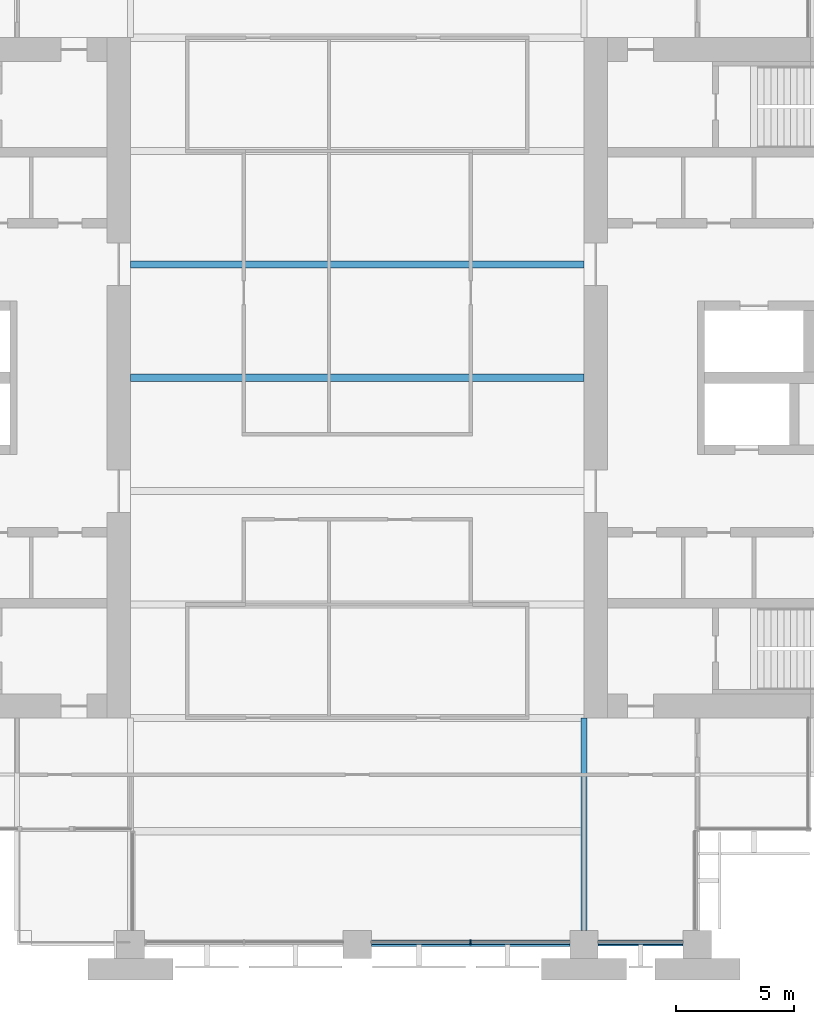
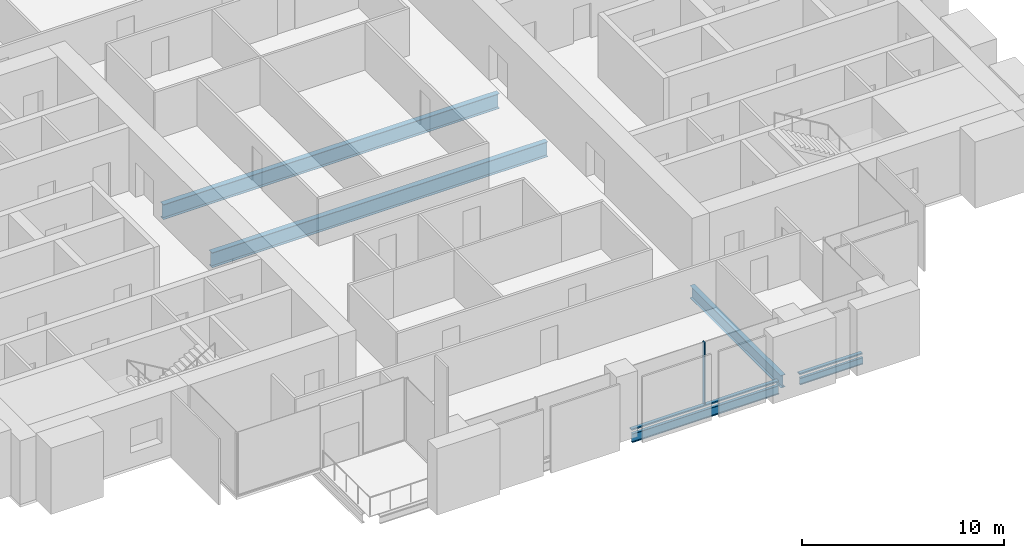
# One storey, part 3 of 14: 5 beams, 3 members, 1 element without a shape of its own.
"""IFC4 building model written with IfcOpenShell, lengths in metres."""

from ifc_helpers import new_model, si_unit, direction, frame, origin, origin_2d, place, context, subcontext, project, spatial, rectangle, i_section, extrude, material, material_profile, profile_set, type_object, element, aggregate, save


model = new_model("IFC4")

# Units and contexts
model_context = context("Model", 3, precision=1e-05, world=origin(), true_north=direction((0.0, 1.0)))
body_context = subcontext(model_context, "Body", "Model", "MODEL_VIEW")
ifc_project = project(units=[si_unit("LENGTHUNIT", "METRE"), si_unit("AREAUNIT", "SQUARE_METRE"), si_unit("VOLUMEUNIT", "CUBIC_METRE"), si_unit("PLANEANGLEUNIT", "RADIAN"), si_unit("MASSUNIT", "GRAM", prefix="KILO")], contexts=[model_context])

# Site, building, storey
site_placement = place(None, origin())
site = spatial("IfcSite", under=ifc_project, at=site_placement, CompositionType="ELEMENT")
building_placement = place(site_placement, origin())
building = spatial("IfcBuilding", under=site, at=building_placement, Name="Baori Bourse Tower", CompositionType="ELEMENT")
storey_placement = place(building_placement, frame((0.0, 0.0, 148.10009765625)))
storey = spatial("IfcBuildingStorey", under=building, at=storey_placement, Name="L32", CompositionType="ELEMENT", Elevation=148.10009765625)

# Curtain wall, members
ifc_material_1 = material(Name="Pale anodised aluminium", Category="aluminium")
curtain_wall_type = type_object("IfcCurtainWallType", Name="CW1 Curtain wall", PredefinedType="NOTDEFINED", material=ifc_material_1)
curtain_wall_placement = place(storey_placement, origin())
curtain_wall = element("IfcCurtainWall", 1, at=curtain_wall_placement, inside=storey, type_object=curtain_wall_type, Name="Curtain wall CW1 L32 12", PredefinedType="NOTDEFINED")
ifc_material_2 = material(Name="Pale anodised aluminium", Category="aluminium")
ifc_material_profile_1 = material_profile(ifc_material_2, rectangle(XDim=0.199951171875, YDim=0.06005859375, at=origin_2d()), Name="Mullion 60x200")
ifc_profile_set_1 = profile_set([ifc_material_profile_1], Name="Pale anodised aluminium")
member_type_1 = type_object("IfcMemberType", Name="CW1 Curtain wall mullion", PredefinedType="MULLION", material=ifc_profile_set_1)
member_1_placement = place(storey_placement, frame((33.60009765625, 0.10009765625, 0.079833984375), z_axis=(0.0, 0.0, 1.0), x_axis=(0.0, 1.0, 0.0)))
member_1 = element("IfcMember", 2, at=member_1_placement, type_object=member_type_1, Name="Curtain wall CW1 mullion", PredefinedType="MULLION", context=body_context, shape_type="SweptSolid", body=[
    extrude(rectangle(XDim=0.199951171875, YDim=0.06005859375, at=origin_2d()), origin(), (0.0, 0.0, 1.0), 3.760009765625),
])
ifc_material_3 = material(Name="Pale anodised aluminium", Category="aluminium")
ifc_material_profile_2 = material_profile(ifc_material_3, rectangle(XDim=0.199951171875, YDim=0.080078125, at=origin_2d()), Name="Transom 80x200")
ifc_profile_set_2 = profile_set([ifc_material_profile_2], Name="Pale anodised aluminium")
member_type_2 = type_object("IfcMemberType", Name="CW1 Curtain wall transom", PredefinedType="USERDEFINED", material=ifc_profile_set_2)
member_2_placement = place(storey_placement, frame((29.39990234375, 0.10009765625, 0.039794921875), z_axis=(1.0, 0.0, 0.0), x_axis=(0.0, 1.0, 0.0)))
member_2 = element("IfcMember", 3, at=member_2_placement, type_object=member_type_2, Name="Curtain wall CW1 sill rail", ObjectType="TRANSOM", PredefinedType="USERDEFINED", context=body_context, shape_type="SweptSolid", body=[
    extrude(rectangle(XDim=0.199951171875, YDim=0.080078125, at=origin_2d()), origin(), (0.0, 0.0, 1.0), 8.400146484375),
])
member_3_placement = place(storey_placement, frame((39.0, 0.10009765625, 0.039794921875), z_axis=(1.0, 0.0, 0.0), x_axis=(0.0, 1.0, 0.0)))
member_3 = element("IfcMember", 4, at=member_3_placement, type_object=member_type_2, Name="Curtain wall CW1 sill rail", ObjectType="TRANSOM", PredefinedType="USERDEFINED", context=body_context, shape_type="SweptSolid", body=[
    extrude(rectangle(XDim=0.199951171875, YDim=0.080078125, at=origin_2d()), origin(), (0.0, 0.0, 1.0), 3.60009765625),
])
aggregate(curtain_wall, [member_2, member_1, member_3])

# Beams
ifc_material_4 = material(Name="Steel A992 Gr 50", Category="steel")
ifc_material_profile_3 = material_profile(ifc_material_4, i_section(OverallWidth=0.140380859375, OverallDepth=0.40380859375, WebThickness=0.007080078125, FlangeThickness=0.01123046875, at=origin_2d()), Name="W16x31")
ifc_profile_set_3 = profile_set([ifc_material_profile_3], Name="Steel A992 Gr 50")
beam_type_1 = type_object("IfcBeamType", Name="Edge beam W16x31", PredefinedType="BEAM", material=ifc_profile_set_3)
beam_1_placement = place(storey_placement, frame((39.0, 0.0, -0.362060546875), z_axis=(1.0, 0.0, 0.0), x_axis=(0.0, 1.0, 0.0)))
element("IfcBeam", 5, at=beam_1_placement, inside=storey, type_object=beam_type_1, Name="Edge beam L32", PredefinedType="BEAM", context=body_context, shape_type="SweptSolid", body=[
    extrude(i_section(OverallWidth=0.140380859375, OverallDepth=0.40380859375, WebThickness=0.007080078125, FlangeThickness=0.01123046875, at=origin_2d()), origin(), (0.0, 0.0, 1.0), 3.60009765625),
])
ifc_material_5 = material(Name="Steel A992 Gr 50", Category="steel")
ifc_material_profile_4 = material_profile(ifc_material_5, i_section(OverallWidth=0.1650390625, OverallDepth=0.52587890625, WebThickness=0.0087890625, FlangeThickness=0.011474609375, at=origin_2d()), Name="W21x44")
ifc_profile_set_4 = profile_set([ifc_material_profile_4], Name="Steel A992 Gr 50")
beam_type_2 = type_object("IfcBeamType", Name="Edge beam W21x44", PredefinedType="BEAM", material=ifc_profile_set_4)
beam_2_placement = place(storey_placement, frame((29.39990234375, 0.0, -0.423095703125), z_axis=(1.0, 0.0, 0.0), x_axis=(0.0, 1.0, 0.0)))
element("IfcBeam", 6, at=beam_2_placement, inside=storey, type_object=beam_type_2, Name="Edge beam L32", PredefinedType="BEAM", context=body_context, shape_type="SweptSolid", body=[
    extrude(i_section(OverallWidth=0.1650390625, OverallDepth=0.52587890625, WebThickness=0.0087890625, FlangeThickness=0.011474609375, at=origin_2d()), origin(), (0.0, 0.0, 1.0), 8.400146484375),
])
ifc_material_6 = material(Name="Steel A992 Gr 50", Category="steel")
ifc_material_profile_5 = material_profile(ifc_material_6, i_section(OverallWidth=0.3046875, OverallDepth=0.904296875, WebThickness=0.01513671875, FlangeThickness=0.02001953125, at=origin_2d()), Name="W36x135")
ifc_profile_set_5 = profile_set([ifc_material_profile_5], Name="Steel A992 Gr 50")
beam_type_3 = type_object("IfcBeamType", Name="Floor beam W36x135", PredefinedType="BEAM", material=ifc_profile_set_5)
for number, where, z_axis, x_axis, name in (
    (7, (19.199951171875, 24.0, -0.6123046875), (1.0, 0.0, 0.0), (0.0, 1.0, 0.0), "Floor beam L32"),
    (8, (19.199951171875, 28.800048828125, -0.6123046875), (1.0, 0.0, 0.0), (0.0, 1.0, 0.0), "Floor beam L32"),
):
    element("IfcBeam", number, at=place(storey_placement, frame(where, z_axis=z_axis, x_axis=x_axis)), inside=storey, type_object=beam_type_3, Name=name, PredefinedType="BEAM", context=body_context, shape_type="SweptSolid", body=[
        extrude(i_section(OverallWidth=0.3046875, OverallDepth=0.904296875, WebThickness=0.01513671875, FlangeThickness=0.02001953125, at=origin_2d()), origin(), (0.0, 0.0, 1.0), 19.199951171875),
    ])
ifc_material_7 = material(Name="Steel A992 Gr 50", Category="steel")
ifc_material_profile_6 = material_profile(ifc_material_7, i_section(OverallWidth=0.26416015625, OverallDepth=0.749267578125, WebThickness=0.011962890625, FlangeThickness=0.015380859375, at=origin_2d()), Name="W30x90")
ifc_profile_set_6 = profile_set([ifc_material_profile_6], Name="Steel A992 Gr 50")
beam_type_4 = type_object("IfcBeamType", Name="Girder W30x90", PredefinedType="BEAM", material=ifc_profile_set_6)
beam_3_placement = place(storey_placement, frame((38.39990234375, 0.60009765625, -0.53466796875), z_axis=(0.0, 1.0, 0.0), x_axis=(-1.0, 0.0, 0.0)))
element("IfcBeam", 9, at=beam_3_placement, inside=storey, type_object=beam_type_4, Name="Girder L32", PredefinedType="BEAM", context=body_context, shape_type="SweptSolid", body=[
    extrude(i_section(OverallWidth=0.26416015625, OverallDepth=0.749267578125, WebThickness=0.011962890625, FlangeThickness=0.015380859375, at=origin_2d()), origin(), (0.0, 0.0, 1.0), 9.0),
])

save(model, "model.ifc")
